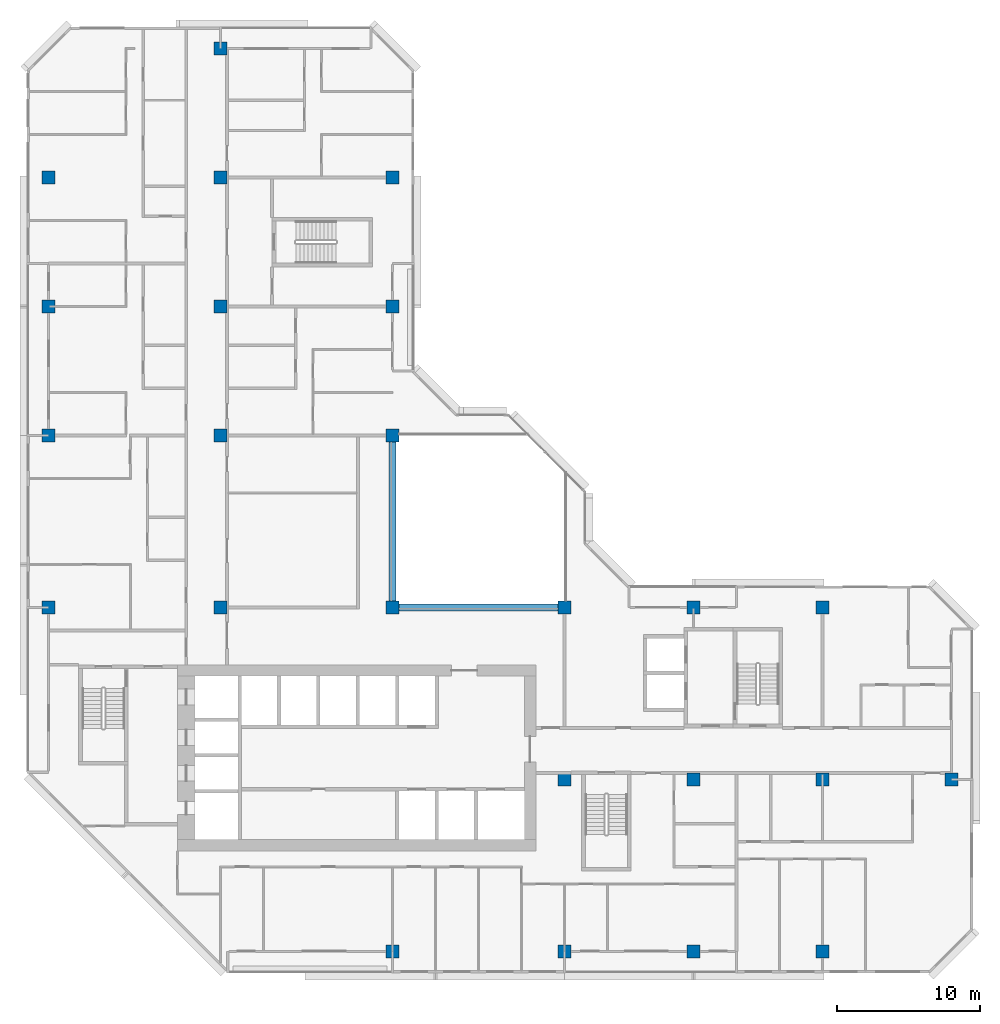
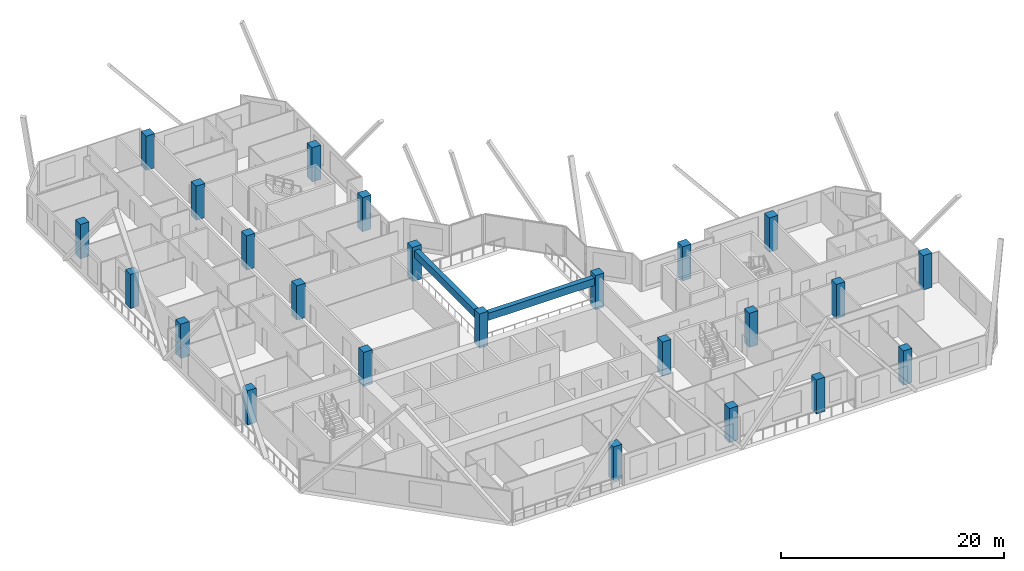
# One storey, part 1 of 15: 24 columns, 2 beams.
"""IFC4 building model written with IfcOpenShell, lengths in metres."""

from ifc_helpers import new_model, si_unit, direction, frame, origin, origin_2d, place, context, subcontext, project, spatial, rectangle, extrude, material, material_profile, profile_set, type_object, element, save


model = new_model("IFC4")

# Units and contexts
model_context = context("Model", 3, precision=1e-05, world=origin(), true_north=direction((0.0, 1.0)))
body_context = subcontext(model_context, "Body", "Model", "MODEL_VIEW")
ifc_project = project(units=[si_unit("LENGTHUNIT", "METRE"), si_unit("AREAUNIT", "SQUARE_METRE"), si_unit("VOLUMEUNIT", "CUBIC_METRE"), si_unit("PLANEANGLEUNIT", "RADIAN"), si_unit("MASSUNIT", "GRAM", prefix="KILO")], contexts=[model_context])

# Site, building, storey
site_placement = place(None, origin())
site = spatial("IfcSite", under=ifc_project, at=site_placement, CompositionType="ELEMENT")
building_placement = place(site_placement, origin())
building = spatial("IfcBuilding", under=site, at=building_placement, Name="Chenar Terraces", CompositionType="ELEMENT")
storey_placement = place(building_placement, frame((0.0, 0.0, 194.89990234375)))
storey = spatial("IfcBuildingStorey", under=building, at=storey_placement, Name="L45", CompositionType="ELEMENT", Elevation=194.89990234375)

# Columns
ifc_material_1 = material(Name="Concrete C60/75", Category="concrete")
ifc_material_profile_1 = material_profile(ifc_material_1, rectangle(XDim=0.89990234375, YDim=0.89990234375, at=origin_2d()), Name="C 900 x 900")
ifc_profile_set_1 = profile_set([ifc_material_profile_1], Name="Concrete C60/75")
column_type = type_object("IfcColumnType", Name="Column C 900 x 900 Concrete C60/75", PredefinedType="COLUMN", material=ifc_profile_set_1)
column_1_placement = place(storey_placement, frame((0.0, 24.0, 0.0), z_axis=(0.0, 0.0, 1.0), x_axis=(1.0, 0.0, 0.0)))
element("IfcColumn", 1, at=column_1_placement, inside=storey, type_object=column_type, Name="Column 5/G L45", PredefinedType="COLUMN", context=body_context, shape_type="SweptSolid", body=[
    extrude(rectangle(XDim=0.89990234375, YDim=0.89990234375, at=origin_2d()), origin(), (0.0, 0.0, 1.0), 3.75),
])
column_2_placement = place(storey_placement, frame((0.0, 36.0, 0.0), z_axis=(0.0, 0.0, 1.0), x_axis=(1.0, 0.0, 0.0)))
element("IfcColumn", 2, at=column_2_placement, inside=storey, type_object=column_type, Name="Column 5/H L45", PredefinedType="COLUMN", context=body_context, shape_type="SweptSolid", body=[
    extrude(rectangle(XDim=0.89990234375, YDim=0.89990234375, at=origin_2d()), origin(), (0.0, 0.0, 1.0), 3.75),
])
for number, where, z_axis, x_axis, name in (
    (3, (0.0, 45.0, 0.0), (0.0, 0.0, 1.0), (1.0, 0.0, 0.0), "Column 5/J L45"),
    (4, (0.0, 54.0, 0.0), (0.0, 0.0, 1.0), (1.0, 0.0, 0.0), "Column 5/K L45"),
    (5, (12.0, 24.0, 0.0), (0.0, 0.0, 1.0), (1.0, 0.0, 0.0), "Column 6/G L45"),
    (6, (12.0, 36.0, 0.0), (0.0, 0.0, 1.0), (1.0, 0.0, 0.0), "Column 6/H L45"),
    (7, (12.0, 45.0, 0.0), (0.0, 0.0, 1.0), (1.0, 0.0, 0.0), "Column 6/J L45"),
    (8, (12.0, 54.0, 0.0), (0.0, 0.0, 1.0), (1.0, 0.0, 0.0), "Column 6/K L45"),
    (9, (12.0, 63.0, 0.0), (0.0, 0.0, 1.0), (1.0, 0.0, 0.0), "Column 6/L L45"),
    (10, (24.0, 0.0, 0.0), (0.0, 0.0, 1.0), (1.0, 0.0, 0.0), "Column 7/E L45"),
    (11, (24.0, 24.0, 0.0), (0.0, 0.0, 1.0), (1.0, 0.0, 0.0), "Column 7/G L45"),
    (12, (24.0, 36.0, 0.0), (0.0, 0.0, 1.0), (1.0, 0.0, 0.0), "Column 7/H L45"),
    (13, (24.0, 45.0, 0.0), (0.0, 0.0, 1.0), (1.0, 0.0, 0.0), "Column 7/J L45"),
    (14, (24.0, 54.0, 0.0), (0.0, 0.0, 1.0), (1.0, 0.0, 0.0), "Column 7/K L45"),
    (15, (36.0, 0.0, 0.0), (0.0, 0.0, 1.0), (1.0, 0.0, 0.0), "Column 8/E L45"),
    (16, (36.0, 12.0, 0.0), (0.0, 0.0, 1.0), (1.0, 0.0, 0.0), "Column 8/F L45"),
    (17, (36.0, 24.0, 0.0), (0.0, 0.0, 1.0), (1.0, 0.0, 0.0), "Column 8/G L45"),
    (18, (45.0, 0.0, 0.0), (0.0, 0.0, 1.0), (1.0, 0.0, 0.0), "Column 9/E L45"),
    (19, (45.0, 12.0, 0.0), (0.0, 0.0, 1.0), (1.0, 0.0, 0.0), "Column 9/F L45"),
    (20, (45.0, 24.0, 0.0), (0.0, 0.0, 1.0), (1.0, 0.0, 0.0), "Column 9/G L45"),
    (21, (54.0, 0.0, 0.0), (0.0, 0.0, 1.0), (1.0, 0.0, 0.0), "Column 10/E L45"),
    (22, (54.0, 12.0, 0.0), (0.0, 0.0, 1.0), (1.0, 0.0, 0.0), "Column 10/F L45"),
    (23, (54.0, 24.0, 0.0), (0.0, 0.0, 1.0), (1.0, 0.0, 0.0), "Column 10/G L45"),
    (24, (63.0, 12.0, 0.0), (0.0, 0.0, 1.0), (1.0, 0.0, 0.0), "Column 11/F L45"),
):
    element("IfcColumn", number, at=place(storey_placement, frame(where, z_axis=z_axis, x_axis=x_axis)), inside=storey, type_object=column_type, Name=name, PredefinedType="COLUMN", context=body_context, shape_type="SweptSolid", body=[
        extrude(rectangle(XDim=0.89990234375, YDim=0.89990234375, at=origin_2d()), origin(), (0.0, 0.0, 1.0), 3.75),
    ])

# Beams
ifc_material_2 = material(Name="Concrete C40/50", Category="concrete")
ifc_material_profile_2 = material_profile(ifc_material_2, rectangle(XDim=0.5, YDim=0.800048828125, at=origin_2d()), Name="RC 500 x 800")
ifc_profile_set_2 = profile_set([ifc_material_profile_2], Name="Concrete C40/50")
beam_type = type_object("IfcBeamType", Name="Atrium edge beam 500 x 800 Concrete C40/50", PredefinedType="BEAM", material=ifc_profile_set_2)
for number, where, z_axis, x_axis, name in (
    (25, (24.449951171875, 24.0, 2.9501953125), (1.0, 0.0, 0.0), (0.0, 1.0, 0.0), "Atrium edge beam L46 1"),
    (26, (24.0, 35.550048828125, 2.9501953125), (0.0, -1.0, 0.0), (1.0, 0.0, 0.0), "Atrium edge beam L46 4"),
):
    element("IfcBeam", number, at=place(storey_placement, frame(where, z_axis=z_axis, x_axis=x_axis)), inside=storey, type_object=beam_type, Name=name, PredefinedType="BEAM", context=body_context, shape_type="SweptSolid", body=[
        extrude(rectangle(XDim=0.5, YDim=0.800048828125, at=origin_2d()), origin(), (0.0, 0.0, 1.0), 11.10009765625),
    ])

save(model, "model.ifc")
